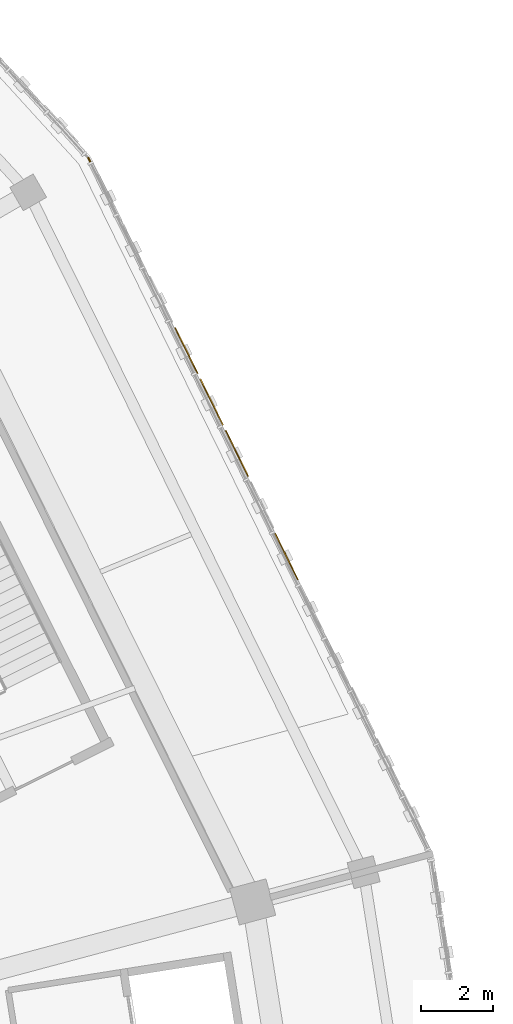
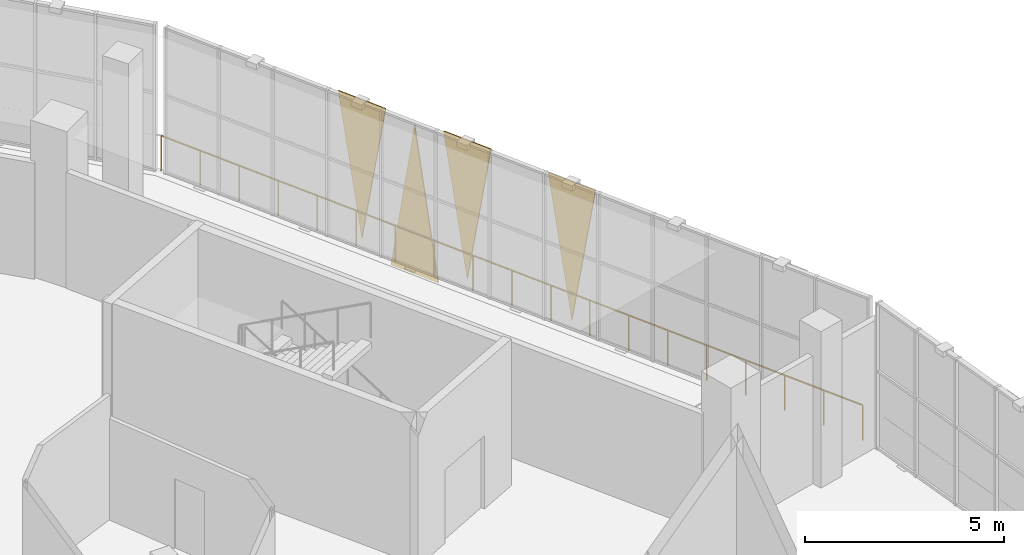
# One storey, part 156 of 179: 4 coverings, 1 railing.
"""IFC4 building model written with IfcOpenShell, lengths in metres."""

from ifc_helpers import new_model, si_unit, direction, frame, origin, origin_2d, place, context, subcontext, project, spatial, polyline, circle, outline, extrude, material, layer, layer_set, type_object, element, save


model = new_model("IFC4")

# Units and contexts
model_context = context("Model", 3, precision=1e-05, world=origin(), true_north=direction((0.0, 1.0)))
body_context = subcontext(model_context, "Body", "Model", "MODEL_VIEW")
ifc_project = project(units=[si_unit("LENGTHUNIT", "METRE"), si_unit("AREAUNIT", "SQUARE_METRE"), si_unit("VOLUMEUNIT", "CUBIC_METRE"), si_unit("PLANEANGLEUNIT", "RADIAN"), si_unit("MASSUNIT", "GRAM", prefix="KILO")], contexts=[model_context])

# Site, building, storey
site_placement = place(None, origin())
site = spatial("IfcSite", under=ifc_project, at=site_placement, CompositionType="ELEMENT")
building_placement = place(site_placement, origin())
building = spatial("IfcBuilding", under=site, at=building_placement, Name="Zevraka Park Crest Stadium", CompositionType="ELEMENT")
storey_placement = place(building_placement, frame((0.0, 0.0, 10.199951171875)))
storey = spatial("IfcBuildingStorey", under=building, at=storey_placement, Name="L02", CompositionType="ELEMENT", Elevation=10.199951171875)

# Coverings
ifc_material_1 = material(Name="Architectural golden-bronze perforated aluminium", Category="aluminium")
ifc_layer = layer(ifc_material_1, 0.034912109375)
ifc_layer_set = layer_set([ifc_layer], Name="Architectural golden-bronze perforated aluminium")
covering_type = type_object("IfcCoveringType", Name="CLD01", PredefinedType="CLADDING", material=ifc_layer_set)
covering_1_placement = place(storey_placement, frame((199.862060546875, 121.7548828125, 4.47998046875), z_axis=(0.897434992361, 0.441146717572, 8.9788862e-05), x_axis=(0.44114671935, -0.897434995978, 0.0)))
element("IfcCovering", 1, at=covering_1_placement, inside=storey, type_object=covering_type, Name="Triangular Golden-Bronze Perforated Cladding L02-01-6", PredefinedType="CLADDING", context=body_context, shape_type="SweptSolid", body=[
    extrude(outline(polyline([(0.0, 0.0), (1.4350251579737685, 0.0), (0.717564581570145, 4.260009782797184), (0.0, 0.0)])), origin(), (0.0, 0.0, -1.0), 0.034912109375),
])
covering_2_placement = place(storey_placement, frame((198.4560546875, 124.617919921875, 4.47998046875), z_axis=(-0.897434989947, -0.441146716385, 0.000115938685), x_axis=(0.44114671935, -0.897434995978, 0.0)))
element("IfcCovering", 2, at=covering_2_placement, inside=storey, type_object=covering_type, Name="Triangular Golden-Bronze Perforated Cladding L02-01-8", PredefinedType="CLADDING", context=body_context, shape_type="SweptSolid", body=[
    extrude(outline(polyline([(0.0, 0.0), (1.4350251579737685, 0.0), (0.7171337742270297, -4.260009794256054), (0.0, 0.0)])), origin(), (0.0, 0.0, -1.0), 0.034912109375),
])
covering_3_placement = place(storey_placement, frame((198.385009765625, 124.760986328125, -0.239990234375), z_axis=(-0.897468090966, -0.441079370712, 0.000120123687), x_axis=(-0.441079373894, 0.897468097441, 0.0)))
element("IfcCovering", 3, at=covering_3_placement, inside=storey, type_object=covering_type, Name="Triangular Golden-Bronze Perforated Cladding L02-01-9", PredefinedType="CLADDING", context=body_context, shape_type="SweptSolid", body=[
    extrude(outline(polyline([(0.0, 0.0), (1.4352442623555979, 0.0), (0.7173529176927561, -4.56005862665014), (0.0, 0.0)])), origin(), (0.0, 0.0, -1.0), 0.034912109375),
])
covering_4_placement = place(storey_placement, frame((197.049072265625, 127.47998046875, 4.47998046875), z_axis=(-0.897369847481, -0.441279196484, 0.000166080445), x_axis=(0.44127920257, -0.897369859857, 0.0)))
element("IfcCovering", 4, at=covering_4_placement, inside=storey, type_object=covering_type, Name="Triangular Golden-Bronze Perforated Cladding L02-01-10", PredefinedType="CLADDING", context=body_context, shape_type="SweptSolid", body=[
    extrude(outline(polyline([(0.0, 0.0), (1.4340410704018465, 0.0), (0.7173527779363971, -4.260009824376318), (0.0, 0.0)])), origin(), (0.0, 0.0, -1.0), 0.034912109375),
])

# Railing
ifc_material_2 = material(Name="Galvanised and bronze-finished steel balustrade", Category="steel")
railing_type = type_object("IfcRailingType", Name="GR01", PredefinedType="GUARDRAIL", material=ifc_material_2)
railing_placement = place(storey_placement, frame((194.64697265625, 132.2099609375, 0.0)))
element("IfcRailing", 5, at=railing_placement, inside=storey, type_object=railing_type, Name="Deck Edge Protection Guardrail GR01 L02-20", PredefinedType="GUARDRAIL", context=body_context, shape_type="SweptSolid", body=[
    extrude(circle(Radius=0.02392578125, at=origin_2d()), frame((0.0, 0.0, 1.076171875), z_axis=(0.441044128991, -0.897485418423, 0.0), x_axis=(0.897485418423, 0.441044128991, 0.0)), (0.0, 0.0, 1.0), 21.2314453125),
    extrude(circle(Radius=0.02099609375, at=origin_2d()), origin(), (0.0, 0.0, 1.0), 1.052001953125),
    extrude(circle(Radius=0.02099609375, at=origin_2d()), frame((0.520263671875, -1.05859375, 0.0)), (0.0, 0.0, 1.0), 1.052001953125),
    extrude(circle(Radius=0.02099609375, at=origin_2d()), frame((1.04052734375, -2.1171875, 0.0)), (0.0, 0.0, 1.0), 1.052001953125),
    extrude(circle(Radius=0.02099609375, at=origin_2d()), frame((1.560546875, -3.17578125, 0.0)), (0.0, 0.0, 1.0), 1.052001953125),
    extrude(circle(Radius=0.02099609375, at=origin_2d()), frame((2.080810546875, -4.234375, 0.0)), (0.0, 0.0, 1.0), 1.052001953125),
    extrude(circle(Radius=0.02099609375, at=origin_2d()), frame((2.60107421875, -5.29296875, 0.0)), (0.0, 0.0, 1.0), 1.052001953125),
    extrude(circle(Radius=0.02099609375, at=origin_2d()), frame((3.121337890625, -6.3515625, 0.0)), (0.0, 0.0, 1.0), 1.052001953125),
    extrude(circle(Radius=0.02099609375, at=origin_2d()), frame((3.6416015625, -7.41015625, 0.0)), (0.0, 0.0, 1.0), 1.052001953125),
    extrude(circle(Radius=0.02099609375, at=origin_2d()), frame((4.161865234375, -8.46875, 0.0)), (0.0, 0.0, 1.0), 1.052001953125),
    extrude(circle(Radius=0.02099609375, at=origin_2d()), frame((4.68212890625, -9.52734375, 0.0)), (0.0, 0.0, 1.0), 1.052001953125),
    extrude(circle(Radius=0.02099609375, at=origin_2d()), frame((5.2021484375, -10.586181640625, 0.0)), (0.0, 0.0, 1.0), 1.052001953125),
    extrude(circle(Radius=0.02099609375, at=origin_2d()), frame((5.722412109375, -11.644775390625, 0.0)), (0.0, 0.0, 1.0), 1.052001953125),
    extrude(circle(Radius=0.02099609375, at=origin_2d()), frame((6.24267578125, -12.703369140625, 0.0)), (0.0, 0.0, 1.0), 1.052001953125),
    extrude(circle(Radius=0.02099609375, at=origin_2d()), frame((6.762939453125, -13.761962890625, 0.0)), (0.0, 0.0, 1.0), 1.052001953125),
    extrude(circle(Radius=0.02099609375, at=origin_2d()), frame((7.283203125, -14.820556640625, 0.0)), (0.0, 0.0, 1.0), 1.052001953125),
    extrude(circle(Radius=0.02099609375, at=origin_2d()), frame((7.80322265625, -15.879150390625, 0.0)), (0.0, 0.0, 1.0), 1.052001953125),
    extrude(circle(Radius=0.02099609375, at=origin_2d()), frame((8.323486328125, -16.937744140625, 0.0)), (0.0, 0.0, 1.0), 1.052001953125),
    extrude(circle(Radius=0.02099609375, at=origin_2d()), frame((8.84375, -17.996337890625, 0.0)), (0.0, 0.0, 1.0), 1.052001953125),
    extrude(circle(Radius=0.02099609375, at=origin_2d()), frame((9.364013671875, -19.054931640625, 0.0)), (0.0, 0.0, 1.0), 1.052001953125),
])

save(model, "model.ifc")
